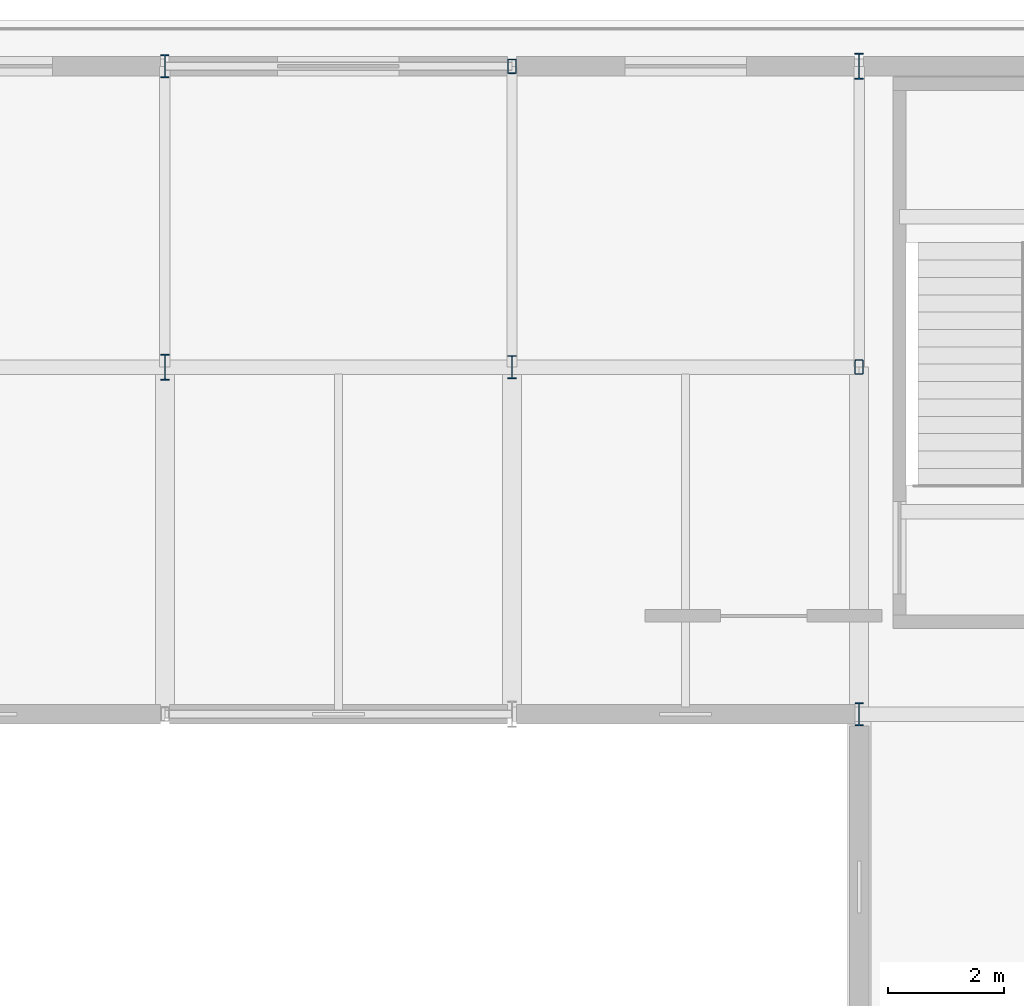
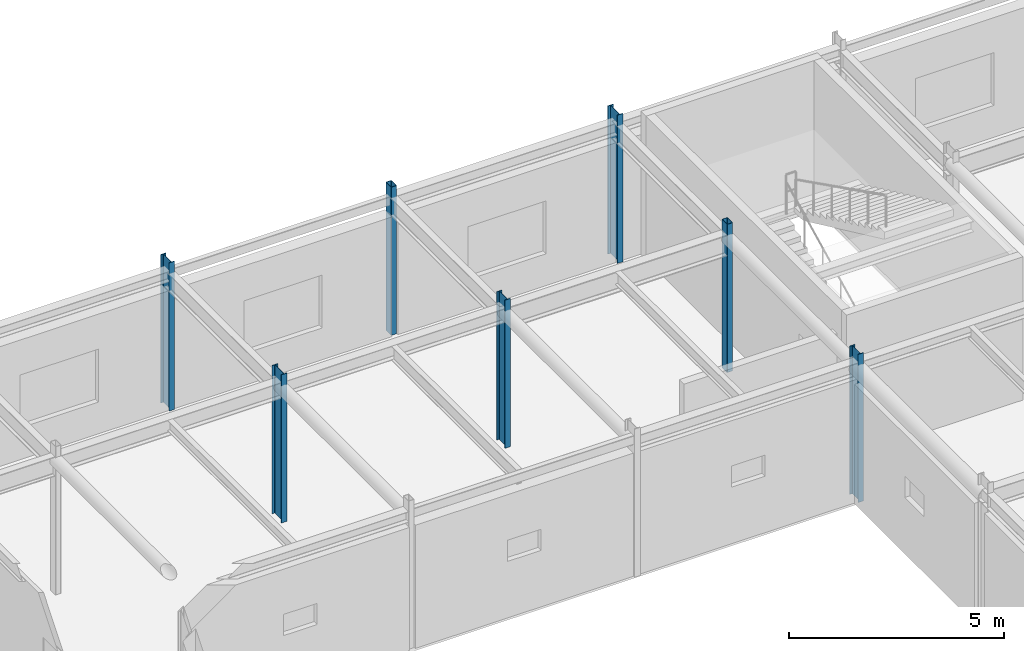
# One storey, part 21 of 116: 7 columns.
"""IFC4 building model written with IfcOpenShell, lengths in metres."""

from ifc_helpers import new_model, si_unit, direction, frame, origin, origin_2d, place, context, subcontext, project, spatial, hollow_rectangle, i_section, extrude, material, material_profile, profile_set, type_object, element, save


model = new_model("IFC4")

# Units and contexts
model_context = context("Model", 3, precision=1e-05, world=origin(), true_north=direction((0.0, 1.0)))
body_context = subcontext(model_context, "Body", "Model", "MODEL_VIEW")
ifc_project = project(units=[si_unit("LENGTHUNIT", "METRE"), si_unit("AREAUNIT", "SQUARE_METRE"), si_unit("VOLUMEUNIT", "CUBIC_METRE"), si_unit("PLANEANGLEUNIT", "RADIAN"), si_unit("MASSUNIT", "GRAM", prefix="KILO")], contexts=[model_context])

# Site, building, storey
site_placement = place(None, origin())
site = spatial("IfcSite", under=ifc_project, at=site_placement, CompositionType="ELEMENT")
building_placement = place(site_placement, origin())
building = spatial("IfcBuilding", under=site, at=building_placement, Name="Varnakota Square Police Headquarters", CompositionType="ELEMENT")
storey_placement = place(building_placement, frame((0.0, 0.0, 9.300048828125)))
storey = spatial("IfcBuildingStorey", under=building, at=storey_placement, Name="L02", CompositionType="ELEMENT", Elevation=9.300048828125)

# Columns
ifc_material = material(Name="Steel IS 2062 Grade 350", Category="steel")
ifc_material_profile_1 = material_profile(ifc_material, i_section(OverallWidth=0.139892578125, OverallDepth=0.39990234375, WebThickness=0.0087890625, FlangeThickness=0.01611328125, FilletRadius=0.013916015625, at=origin_2d()), Name="ISMB 400")
ifc_profile_set_1 = profile_set([ifc_material_profile_1], Name="Steel IS 2062 Grade 350")
column_type_1 = type_object("IfcColumnType", Name="COL-ISMB400", PredefinedType="COLUMN", material=ifc_profile_set_1)
for number, where, z_axis, x_axis, name in (
    (1, (120.0, 110.199951171875, 0.0), (0.0, 0.0, 1.0), (1.0, 0.0, 0.0), "Column X1200-Y1102 L02"),
    (2, (126.0, 105.0, 0.0), (0.0, 0.0, 1.0), (1.0, 0.0, 0.0), "Column X1260-Y1050 L02"),
    (3, (132.0, 99.0, 0.0), (0.0, 0.0, 1.0), (1.0, 0.0, 0.0), "Column X1320-Y0990 L02"),
):
    element("IfcColumn", number, at=place(storey_placement, frame(where, z_axis=z_axis, x_axis=x_axis)), inside=storey, type_object=column_type_1, Name=name, PredefinedType="COLUMN", context=body_context, shape_type="SweptSolid", body=[
        extrude(i_section(OverallWidth=0.139892578125, OverallDepth=0.39990234375, WebThickness=0.0087890625, FlangeThickness=0.01611328125, FilletRadius=0.013916015625, at=origin_2d()), origin(), (0.0, 0.0, 1.0), 4.199951171875),
    ])
ifc_material_profile_2 = material_profile(ifc_material, i_section(OverallWidth=0.14990234375, OverallDepth=0.449951171875, WebThickness=0.009521484375, FlangeThickness=0.017333984375, FilletRadius=0.014892578125, at=origin_2d()), Name="ISMB 450")
ifc_profile_set_2 = profile_set([ifc_material_profile_2], Name="Steel IS 2062 Grade 350")
column_type_2 = type_object("IfcColumnType", Name="COL-ISMB450", PredefinedType="COLUMN", material=ifc_profile_set_2)
for number, where, z_axis, x_axis, name in (
    (4, (120.0, 105.0, 0.0), (0.0, 0.0, 1.0), (1.0, 0.0, 0.0), "Column X1200-Y1050 L02"),
    (5, (132.0, 110.199951171875, 0.0), (0.0, 0.0, 1.0), (1.0, 0.0, 0.0), "Column X1320-Y1102 L02"),
):
    element("IfcColumn", number, at=place(storey_placement, frame(where, z_axis=z_axis, x_axis=x_axis)), inside=storey, type_object=column_type_2, Name=name, PredefinedType="COLUMN", context=body_context, shape_type="SweptSolid", body=[
        extrude(i_section(OverallWidth=0.14990234375, OverallDepth=0.449951171875, WebThickness=0.009521484375, FlangeThickness=0.017333984375, FilletRadius=0.014892578125, at=origin_2d()), origin(), (0.0, 0.0, 1.0), 4.199951171875),
    ])
ifc_material_profile_3 = material_profile(ifc_material, hollow_rectangle(XDim=0.14990234375, YDim=0.25, WallThickness=0.010009765625, InnerFilletRadius=0.010009765625, OuterFilletRadius=0.02001953125, at=origin_2d()), Name="RHS 250x150x10")
ifc_profile_set_3 = profile_set([ifc_material_profile_3], Name="Steel IS 2062 Grade 350")
column_type_3 = type_object("IfcColumnType", Name="COL-RHS250", PredefinedType="COLUMN", material=ifc_profile_set_3)
for number, where, z_axis, x_axis, name in (
    (6, (126.0, 110.199951171875, 0.0), (0.0, 0.0, 1.0), (1.0, 0.0, 0.0), "Column X1260-Y1102 L02"),
    (7, (132.0, 105.0, 0.0), (0.0, 0.0, 1.0), (1.0, 0.0, 0.0), "Column X1320-Y1050 L02"),
):
    element("IfcColumn", number, at=place(storey_placement, frame(where, z_axis=z_axis, x_axis=x_axis)), inside=storey, type_object=column_type_3, Name=name, PredefinedType="COLUMN", context=body_context, shape_type="SweptSolid", body=[
        extrude(hollow_rectangle(XDim=0.14990234375, YDim=0.25, WallThickness=0.010009765625, InnerFilletRadius=0.010009765625, OuterFilletRadius=0.02001953125, at=origin_2d()), origin(), (0.0, 0.0, 1.0), 4.199951171875),
    ])

save(model, "model.ifc")
